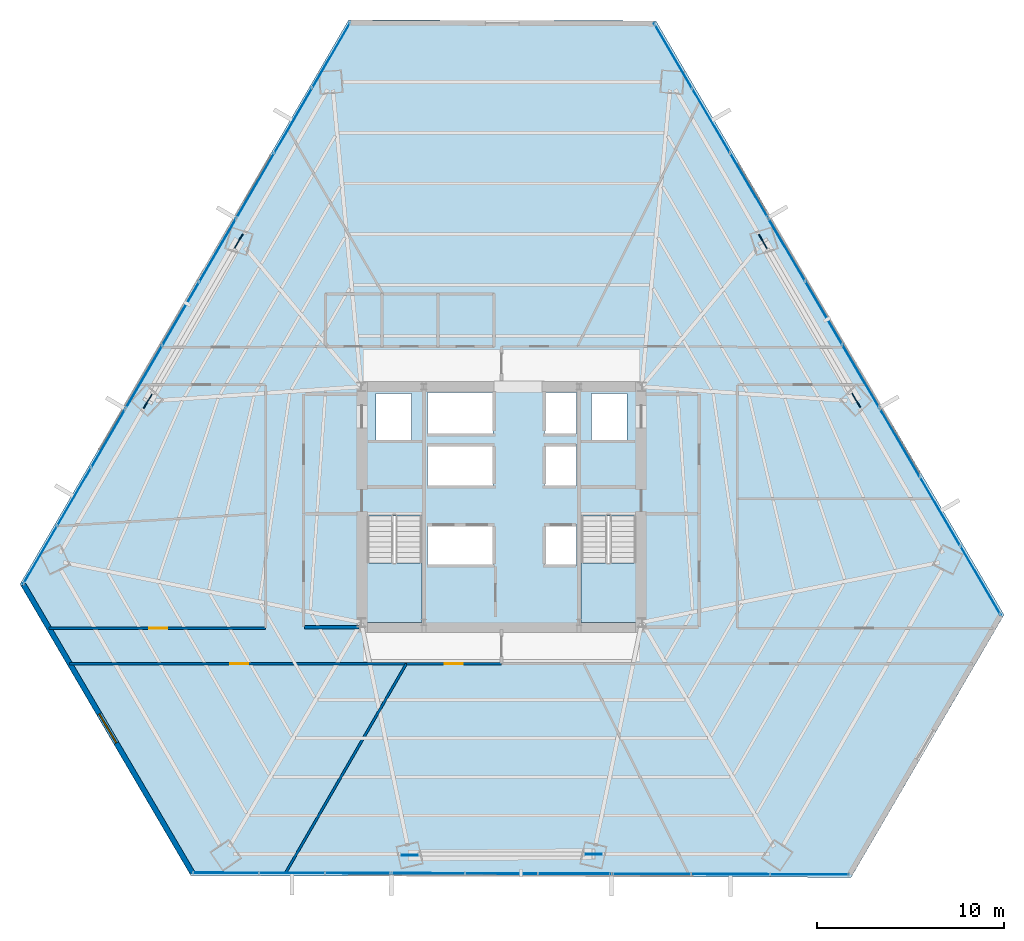
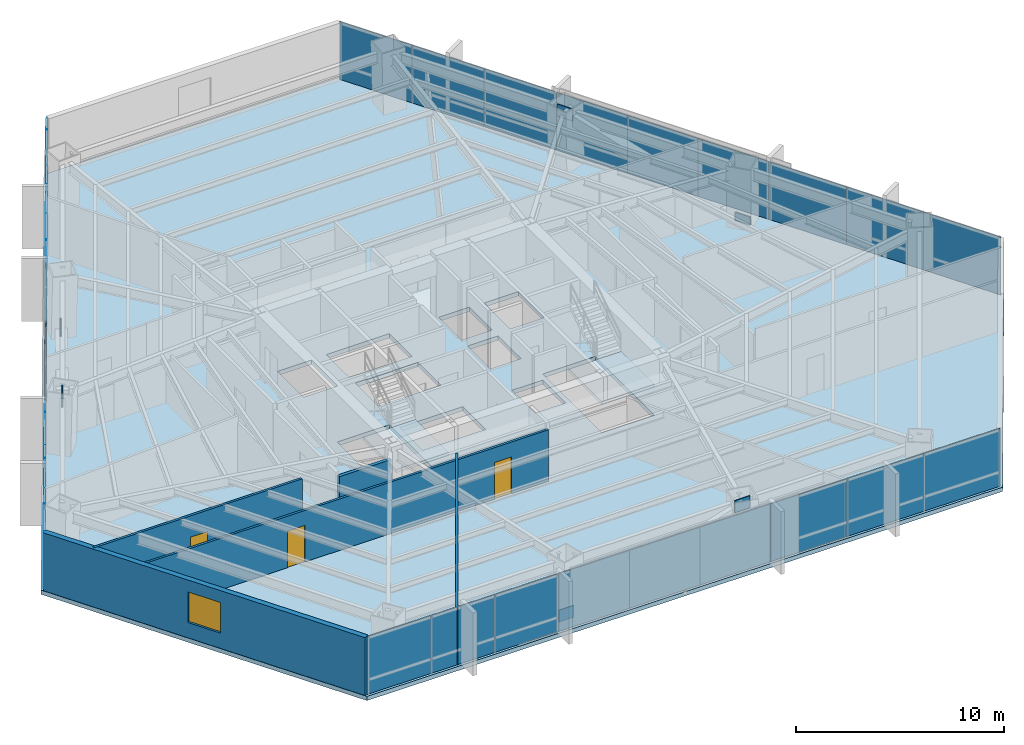
# One storey, part 27 of 33: 33 plates, 6 walls, 3 doors, 3 slabs, 1 window, 4 openings, 11 elements without a shape of their own.
"""IFC4 building model written with IfcOpenShell, lengths in metres."""

from ifc_helpers import new_model, si_unit, direction, frame, frame_2d, origin, origin_2d, place, context, subcontext, project, spatial, polyline, rectangle, outline, extrude, source, transform, mapped, material, layer, layer_set, type_object, type_shapes, element, fill, aggregate, save


model = new_model("IFC4")

# Units and contexts
model_context = context("Model", 3, precision=1e-05, world=origin(), true_north=direction((0.0, 1.0)))
body_context = subcontext(model_context, "Body", "Model", "MODEL_VIEW")
ifc_project = project(units=[si_unit("LENGTHUNIT", "METRE"), si_unit("AREAUNIT", "SQUARE_METRE"), si_unit("VOLUMEUNIT", "CUBIC_METRE"), si_unit("PLANEANGLEUNIT", "RADIAN"), si_unit("MASSUNIT", "GRAM", prefix="KILO")], contexts=[model_context])

# Site, building, storey
site_placement = place(None, origin())
site = spatial("IfcSite", under=ifc_project, at=site_placement, CompositionType="ELEMENT")
building_placement = place(site_placement, origin())
building = spatial("IfcBuilding", under=site, at=building_placement, Name="Caelisora Broadcast Tower", CompositionType="ELEMENT")
storey_placement = place(building_placement, frame((0.0, 0.0, 34.89990234375)))
storey = spatial("IfcBuildingStorey", under=building, at=storey_placement, Name="L08", CompositionType="ELEMENT", Elevation=34.89990234375)

# Slab
ifc_material_1 = material(Name="Concrete 40 MPa (AS 3600 N40)", Category="concrete")
ifc_layer_1 = layer(ifc_material_1, 0.25, Name="Concrete 40 MPa (AS 3600 N40)")
ifc_layer_set_1 = layer_set([ifc_layer_1], Name="Concrete 40 MPa (AS 3600 N40)")
slab_type_1 = type_object("IfcSlabType", Name="SL04", PredefinedType="FLOOR", material=ifc_layer_set_1)
slab_1_placement = place(storey_placement, frame((0.0, 0.0, -0.25)))
element("IfcSlab", 1, at=slab_1_placement, inside=storey, type_object=slab_type_1, Name="L08 suspended floor SL04", PredefinedType="FLOOR", context=body_context, shape_type="SweptSolid", body=[
    extrude(outline(polyline([(46.251953125, 49.55810546875), (29.826904296875, 49.60302734375), (12.261962890625, 19.446044921875), (21.39208984375, 3.868896484375), (56.68896484375, 3.77197265625), (64.862060546875, 17.805908203125), (46.251953125, 49.55810546875)]), holes=[polyline([(30.820068359375, 17.39990234375), (33.739990234375, 17.39990234375), (33.739990234375, 23.080078125), (30.820068359375, 23.080078125), (30.820068359375, 17.39990234375)]), polyline([(42.260009765625, 17.39990234375), (45.179931640625, 17.39990234375), (45.179931640625, 23.080078125), (42.260009765625, 23.080078125), (42.260009765625, 17.39990234375)]), polyline([(42.800048828125, 27.14990234375), (44.699951171875, 27.14990234375), (44.699951171875, 29.64990234375), (42.800048828125, 29.64990234375), (42.800048828125, 27.14990234375)]), polyline([(40.300048828125, 20.429931640625), (42.0, 20.429931640625), (42.0, 22.6298828125), (40.300048828125, 22.6298828125), (40.300048828125, 20.429931640625)]), polyline([(40.300048828125, 24.719970703125), (42.0, 24.719970703125), (42.0, 26.919921875), (40.300048828125, 26.919921875), (40.300048828125, 24.719970703125)]), polyline([(40.300048828125, 27.5), (42.0, 27.5), (42.0, 29.699951171875), (40.300048828125, 29.699951171875), (40.300048828125, 27.5)]), polyline([(34.050048828125, 20.429931640625), (37.550048828125, 20.429931640625), (37.550048828125, 22.6298828125), (34.050048828125, 22.6298828125), (34.050048828125, 20.429931640625)]), polyline([(34.050048828125, 24.719970703125), (37.550048828125, 24.719970703125), (37.550048828125, 26.919921875), (34.050048828125, 26.919921875), (34.050048828125, 24.719970703125)]), polyline([(34.050048828125, 27.5), (37.550048828125, 27.5), (37.550048828125, 29.699951171875), (34.050048828125, 29.699951171875), (34.050048828125, 27.5)]), polyline([(31.300048828125, 27.14990234375), (33.199951171875, 27.14990234375), (33.199951171875, 29.64990234375), (31.300048828125, 29.64990234375), (31.300048828125, 27.14990234375)])]), origin(), (0.0, 0.0, 1.0), 0.25),
])

# Stair, slab
stair_type_1 = type_object("IfcStairType", Name="ST-1", PredefinedType="HALF_TURN_STAIR", material=ifc_material_1)
stair_1_placement = place(storey_placement, origin())
stair_1 = element("IfcStair", 2, at=stair_1_placement, inside=storey, type_object=stair_type_1, Name="L08 West Fire-Isolated Tower Stair", PredefinedType="HALF_TURN_STAIR")
ifc_layer_2 = layer(ifc_material_1, 0.199951171875, Name="Concrete 40 MPa (AS 3600 N40)")
ifc_layer_set_2 = layer_set([ifc_layer_2], Name="Concrete 40 MPa (AS 3600 N40)")
slab_type_2 = type_object("IfcSlabType", Name="STL-1", PredefinedType="LANDING", material=ifc_layer_set_2)
slab_2_placement = place(storey_placement, frame((0.0, 0.0, 1.625)))
slab_2 = element("IfcSlab", 3, at=slab_2_placement, type_object=slab_type_2, Name="ST-1 landing 1", PredefinedType="LANDING", context=body_context, shape_type="SweptSolid", body=[
    extrude(outline(polyline([(30.820068359375, 20.580078125), (30.820068359375, 17.39990234375), (33.739990234375, 17.39990234375), (33.739990234375, 20.580078125), (30.820068359375, 20.580078125)])), origin(), (0.0, 0.0, 1.0), 0.2001953125),
])
aggregate(stair_1, [slab_2])

stair_type_2 = type_object("IfcStairType", Name="ST-2", PredefinedType="HALF_TURN_STAIR", material=ifc_material_1)
stair_2_placement = place(storey_placement, origin())
stair_2 = element("IfcStair", 4, at=stair_2_placement, inside=storey, type_object=stair_type_2, Name="L08 East Fire-Isolated Tower Stair", PredefinedType="HALF_TURN_STAIR")
slab_3_placement = place(storey_placement, frame((0.0, 0.0, 1.625)))
slab_3 = element("IfcSlab", 5, at=slab_3_placement, type_object=slab_type_2, Name="ST-2 landing 1", PredefinedType="LANDING", context=body_context, shape_type="SweptSolid", body=[
    extrude(outline(polyline([(42.260009765625, 20.580078125), (42.260009765625, 17.39990234375), (45.179931640625, 17.39990234375), (45.179931640625, 20.580078125), (42.260009765625, 20.580078125)])), origin(), (0.0, 0.0, 1.0), 0.2001953125),
])
aggregate(stair_2, [slab_3])

# Plates
ifc_material_2 = material(Name="Steel Grade 350 L15 (AS/NZS 3678)", Category="steel")
ifc_layer_3 = layer(ifc_material_2, 0.050048828125, Name="Steel Grade 350 L15 (AS/NZS 3678)")
ifc_layer_set_3 = layer_set([ifc_layer_3], Name="Steel Grade 350 L15 (AS/NZS 3678)")
plate_type_1 = type_object("IfcPlateType", Name="GP03", PredefinedType="USERDEFINED", material=ifc_layer_set_3)
shared_shape_1 = source(origin(), body_context, "Body", "SweptSolid", [
    extrude(rectangle(XDim=0.85009765625, YDim=0.050048828125, at=origin_2d()), origin(), (0.0, 0.0, 1.0), 0.699951171875),
])
type_shapes(plate_type_1, [shared_shape_1])
for number, where, z_axis, x_axis, name in (
    (6, (23.95263671875, 37.780029296875, -0.22998046875), (0.0, 0.0, 1.0), (-0.5, -0.866025403784, 0.0), "L08 gusset plate GP03 (ND-L08-C02B)"),
    (7, (19.0966796875, 29.22509765625, 2.72998046875), (0.0, 0.0, 1.0), (-0.5, -0.866025403784, 0.0), "L08 gusset plate GP03 (ND-L08-C03T)"),
    (8, (33.08984375, 4.944580078125, -0.22998046875), (0.0, 0.0, 1.0), (1.0, 0.0, 0.0), "L08 gusset plate GP03 (ND-L08-C06B)"),
    (9, (42.926513671875, 5.016845703125, 2.72998046875), (0.0, 0.0, 1.0), (1.0, 0.0, 0.0), "L08 gusset plate GP03 (ND-L08-C07T)"),
    (10, (56.95751953125, 29.275390625, -0.22998046875), (0.0, 0.0, 1.0), (-0.5, 0.866025403784, 0.0), "L08 gusset plate GP03 (ND-L08-C10B)"),
    (11, (51.9765625, 37.758056640625, 2.72998046875), (0.0, 0.0, 1.0), (-0.5, 0.866025403784, 0.0), "L08 gusset plate GP03 (ND-L08-C11T)"),
):
    element("IfcPlate", number, at=place(storey_placement, frame(where, z_axis=z_axis, x_axis=x_axis)), inside=storey, type_object=plate_type_1, Name=name, ObjectType="GUSSET PLATE", PredefinedType="USERDEFINED", context=body_context, shape_type="MappedRepresentation", body=[
        mapped(shared_shape_1, transform((0.0, 0.0, 0.0), scale=1.0)),
    ])

# Curtain wall, plates
ifc_material_3 = material(Name="Unitised Aluminium and Low-E Glass Curtain Wall", Category="glass")
curtain_wall_type_1 = type_object("IfcCurtainWallType", Name="CW-Z1", PredefinedType="NOTDEFINED", material=ifc_material_3)
curtain_wall_1_placement = place(storey_placement, origin())
curtain_wall_1 = element("IfcCurtainWall", 12, at=curtain_wall_1_placement, inside=storey, type_object=curtain_wall_type_1, Name="L08 curtain wall CW-Z1", PredefinedType="NOTDEFINED")
ifc_material_4 = material(Name="Double Glazed Low-E Argon IGU", Category="glass")
ifc_layer_4 = layer(ifc_material_4, 0.035888671875, Name="Double Glazed Low-E Argon IGU")
ifc_layer_set_4 = layer_set([ifc_layer_4], Name="Double Glazed Low-E Argon IGU")
plate_type_2 = type_object("IfcPlateType", Name="CWP-02", PredefinedType="CURTAIN_PANEL", material=ifc_layer_set_4)
shared_shape_2 = source(origin(), body_context, "Body", "SweptSolid", [
    extrude(rectangle(XDim=4.008544921875, YDim=0.035888671875, at=origin_2d()), origin(), (0.0, 0.0, 1.0), 3.39990234375),
])
plate_1_placement = place(storey_placement, frame((47.179443359375, 47.6787109375, 0.000244140625), z_axis=(0.0, 0.0, 1.0), x_axis=(0.505582083675, -0.862778509623, 0.0)))
plate_1 = element("IfcPlate", 13, at=plate_1_placement, type_object=plate_type_2, Name="L08-CW-B01 glazed panel #1", PredefinedType="CURTAIN_PANEL", context=body_context, shape_type="MappedRepresentation", body=[
    mapped(shared_shape_2, transform((0.0, 0.0, 0.0), scale=1.0)),
])
plate_2_placement = place(storey_placement, frame((49.206298828125, 44.220458984375, 0.000244140625), z_axis=(0.0, 0.0, 1.0), x_axis=(0.505582083675, -0.862778509623, 0.0)))
plate_2 = element("IfcPlate", 14, at=plate_2_placement, type_object=plate_type_2, Name="L08-CW-B01 glazed panel #2", PredefinedType="CURTAIN_PANEL", context=body_context, shape_type="MappedRepresentation", body=[
    mapped(shared_shape_2, transform((0.0, 0.0, 0.0), scale=1.0)),
])
plate_3_placement = place(storey_placement, frame((51.2333984375, 40.76220703125, 0.000244140625), z_axis=(0.0, 0.0, 1.0), x_axis=(0.505582083675, -0.862778509623, 0.0)))
plate_3 = element("IfcPlate", 15, at=plate_3_placement, type_object=plate_type_2, Name="L08-CW-B01 glazed panel #3", PredefinedType="CURTAIN_PANEL", context=body_context, shape_type="MappedRepresentation", body=[
    mapped(shared_shape_2, transform((0.0, 0.0, 0.0), scale=1.0)),
])
aggregate(curtain_wall_1, [plate_1, plate_2, plate_3])

ifc_material_5 = material(Name="Unitised Aluminium Insulated Shadow-Box Spandrel Curtain Wall", Category="aluminium")
curtain_wall_type_2 = type_object("IfcCurtainWallType", Name="CW-SP1", PredefinedType="NOTDEFINED", material=ifc_material_5)
curtain_wall_2_placement = place(storey_placement, origin())
curtain_wall_2 = element("IfcCurtainWall", 16, at=curtain_wall_2_placement, inside=storey, type_object=curtain_wall_type_2, Name="L08 curtain wall CW-SP1", PredefinedType="NOTDEFINED")
ifc_material_6 = material(Name="Insulated Terracotta Shadow-Box Spandrel Panel", Category="aluminium")
ifc_layer_5 = layer(ifc_material_6, 0.0439453125, Name="Insulated Terracotta Shadow-Box Spandrel Panel")
ifc_layer_set_5 = layer_set([ifc_layer_5], Name="Insulated Terracotta Shadow-Box Spandrel Panel")
plate_type_3 = type_object("IfcPlateType", Name="CWP-10", PredefinedType="CURTAIN_PANEL", material=ifc_layer_set_5)
shared_shape_3 = source(origin(), body_context, "Body", "SweptSolid", [
    extrude(rectangle(XDim=3.920166015625, YDim=0.0439453125, at=origin_2d()), origin(), (0.0, 0.0, 1.0), 3.39990234375),
])
type_shapes(plate_type_3, [shared_shape_3])
plate_4_placement = place(storey_placement, frame((53.242919921875, 37.333251953125, 0.000244140625), z_axis=(0.0, 0.0, 1.0), x_axis=(0.505582083675, -0.862778509623, 0.0)))
plate_4 = element("IfcPlate", 17, at=plate_4_placement, type_object=plate_type_3, Name="L08-CW-B02 spandrel panel #1", PredefinedType="CURTAIN_PANEL", context=body_context, shape_type="MappedRepresentation", body=[
    mapped(shared_shape_3, transform((0.0, 0.0, 0.0), scale=1.0)),
])
plate_5_placement = place(storey_placement, frame((55.22509765625, 33.951416015625, 0.000244140625), z_axis=(0.0, 0.0, 1.0), x_axis=(0.505582083675, -0.862778509623, 0.0)))
plate_5 = element("IfcPlate", 18, at=plate_5_placement, type_object=plate_type_3, Name="L08-CW-B02 spandrel panel #2", PredefinedType="CURTAIN_PANEL", context=body_context, shape_type="MappedRepresentation", body=[
    mapped(shared_shape_3, transform((0.0, 0.0, 0.0), scale=1.0)),
])
plate_6_placement = place(storey_placement, frame((57.20751953125, 30.5693359375, 0.000244140625), z_axis=(0.0, 0.0, 1.0), x_axis=(0.505582083675, -0.862778509623, 0.0)))
plate_6 = element("IfcPlate", 19, at=plate_6_placement, type_object=plate_type_3, Name="L08-CW-B02 spandrel panel #3", PredefinedType="CURTAIN_PANEL", context=body_context, shape_type="MappedRepresentation", body=[
    mapped(shared_shape_3, transform((0.0, 0.0, 0.0), scale=1.0)),
])
aggregate(curtain_wall_2, [plate_4, plate_5, plate_6])

curtain_wall_3_placement = place(storey_placement, origin())
curtain_wall_3 = element("IfcCurtainWall", 20, at=curtain_wall_3_placement, inside=storey, type_object=curtain_wall_type_2, Name="L08 curtain wall CW-SP1", PredefinedType="NOTDEFINED")
plate_7_placement = place(storey_placement, frame((41.91748046875, 3.962646484375, 0.000244140625), z_axis=(0.0, 0.0, 1.0), x_axis=(-0.9999961009, 0.002792523174, 0.0)))
plate_7 = element("IfcPlate", 21, at=plate_7_placement, type_object=plate_type_3, Name="L08-CW-B06 spandrel panel #1", PredefinedType="CURTAIN_PANEL", context=body_context, shape_type="MappedRepresentation", body=[
    mapped(shared_shape_3, transform((0.0, 0.0, 0.0), scale=1.0)),
])
plate_8_placement = place(storey_placement, frame((37.997314453125, 3.973388671875, 0.000244140625), z_axis=(0.0, 0.0, 1.0), x_axis=(-0.9999961009, 0.002792523174, 0.0)))
plate_8 = element("IfcPlate", 22, at=plate_8_placement, type_object=plate_type_3, Name="L08-CW-B06 spandrel panel #2", PredefinedType="CURTAIN_PANEL", context=body_context, shape_type="MappedRepresentation", body=[
    mapped(shared_shape_3, transform((0.0, 0.0, 0.0), scale=1.0)),
])
plate_9_placement = place(storey_placement, frame((34.0771484375, 3.984130859375, 0.000244140625), z_axis=(0.0, 0.0, 1.0), x_axis=(-0.9999961009, 0.002792523174, 0.0)))
plate_9 = element("IfcPlate", 23, at=plate_9_placement, type_object=plate_type_3, Name="L08-CW-B06 spandrel panel #3", PredefinedType="CURTAIN_PANEL", context=body_context, shape_type="MappedRepresentation", body=[
    mapped(shared_shape_3, transform((0.0, 0.0, 0.0), scale=1.0)),
])
aggregate(curtain_wall_3, [plate_7, plate_8, plate_9])

curtain_wall_4_placement = place(storey_placement, origin())
curtain_wall_4 = element("IfcCurtainWall", 24, at=curtain_wall_4_placement, inside=storey, type_object=curtain_wall_type_2, Name="L08 curtain wall CW-SP1", PredefinedType="NOTDEFINED")
plate_10_placement = place(storey_placement, frame((18.882568359375, 30.51416015625, 0.000244140625), z_axis=(0.0, 0.0, 1.0), x_axis=(0.503321604797, 0.864099162217, 0.0)))
plate_10 = element("IfcPlate", 25, at=plate_10_placement, type_object=plate_type_3, Name="L08-CW-B10 spandrel panel #1", PredefinedType="CURTAIN_PANEL", context=body_context, shape_type="MappedRepresentation", body=[
    mapped(shared_shape_3, transform((0.0, 0.0, 0.0), scale=1.0)),
])
plate_11_placement = place(storey_placement, frame((20.85546875, 33.901611328125, 0.000244140625), z_axis=(0.0, 0.0, 1.0), x_axis=(0.503321604797, 0.864099162217, 0.0)))
plate_11 = element("IfcPlate", 26, at=plate_11_placement, type_object=plate_type_3, Name="L08-CW-B10 spandrel panel #2", PredefinedType="CURTAIN_PANEL", context=body_context, shape_type="MappedRepresentation", body=[
    mapped(shared_shape_3, transform((0.0, 0.0, 0.0), scale=1.0)),
])
plate_12_placement = place(storey_placement, frame((22.828369140625, 37.2890625, 0.000244140625), z_axis=(0.0, 0.0, 1.0), x_axis=(0.503321604797, 0.864099162217, 0.0)))
plate_12 = element("IfcPlate", 27, at=plate_12_placement, type_object=plate_type_3, Name="L08-CW-B10 spandrel panel #3", PredefinedType="CURTAIN_PANEL", context=body_context, shape_type="MappedRepresentation", body=[
    mapped(shared_shape_3, transform((0.0, 0.0, 0.0), scale=1.0)),
])
aggregate(curtain_wall_4, [plate_10, plate_11, plate_12])

curtain_wall_5_placement = place(storey_placement, origin())
curtain_wall_5 = element("IfcCurtainWall", 28, at=curtain_wall_5_placement, inside=storey, type_object=curtain_wall_type_1, Name="L08 curtain wall CW-Z1", PredefinedType="NOTDEFINED")
shared_shape_4 = source(origin(), body_context, "Body", "SweptSolid", [
    extrude(rectangle(XDim=4.274658203125, YDim=0.035888671875, at=origin_2d()), origin(), (0.0, 0.0, 1.0), 3.39990234375),
])
plate_13_placement = place(storey_placement, frame((59.2841796875, 27.025634765625, 0.000244140625), z_axis=(0.0, 0.0, 1.0), x_axis=(0.505582083675, -0.862778509623, 0.0)))
plate_13 = element("IfcPlate", 29, at=plate_13_placement, type_object=plate_type_2, Name="L08-CW-B03 glazed panel #1", PredefinedType="CURTAIN_PANEL", context=body_context, shape_type="MappedRepresentation", body=[
    mapped(shared_shape_4, transform((0.0, 0.0, 0.0), scale=1.0)),
])
plate_14_placement = place(storey_placement, frame((61.44580078125, 23.337890625, 0.000244140625), z_axis=(0.0, 0.0, 1.0), x_axis=(0.505582083675, -0.862778509623, 0.0)))
plate_14 = element("IfcPlate", 30, at=plate_14_placement, type_object=plate_type_2, Name="L08-CW-B03 glazed panel #2", PredefinedType="CURTAIN_PANEL", context=body_context, shape_type="MappedRepresentation", body=[
    mapped(shared_shape_4, transform((0.0, 0.0, 0.0), scale=1.0)),
])
plate_15_placement = place(storey_placement, frame((63.607421875, 19.64990234375, 0.000244140625), z_axis=(0.0, 0.0, 1.0), x_axis=(0.505582083675, -0.862778509623, 0.0)))
plate_15 = element("IfcPlate", 31, at=plate_15_placement, type_object=plate_type_2, Name="L08-CW-B03 glazed panel #3", PredefinedType="CURTAIN_PANEL", context=body_context, shape_type="MappedRepresentation", body=[
    mapped(shared_shape_4, transform((0.0, 0.0, 0.0), scale=1.0)),
])
aggregate(curtain_wall_5, [plate_13, plate_14, plate_15])

curtain_wall_6_placement = place(storey_placement, origin())
curtain_wall_6 = element("IfcCurtainWall", 32, at=curtain_wall_6_placement, inside=storey, type_object=curtain_wall_type_1, Name="L08 curtain wall CW-Z1", PredefinedType="NOTDEFINED")
shared_shape_5 = source(origin(), body_context, "Body", "SweptSolid", [
    extrude(rectangle(XDim=4.238525390625, YDim=0.035888671875, at=origin_2d()), origin(), (0.0, 0.0, 1.0), 3.39990234375),
])
plate_16_placement = place(storey_placement, frame((54.483642578125, 3.927978515625, 0.000244140625), z_axis=(0.0, 0.0, 1.0), x_axis=(-0.9999961009, 0.002792523174, 0.0)))
plate_16 = element("IfcPlate", 33, at=plate_16_placement, type_object=plate_type_2, Name="L08-CW-B05 glazed panel #1", PredefinedType="CURTAIN_PANEL", context=body_context, shape_type="MappedRepresentation", body=[
    mapped(shared_shape_5, transform((0.0, 0.0, 0.0), scale=1.0)),
])
plate_17_placement = place(storey_placement, frame((50.2451171875, 3.939697265625, 0.000244140625), z_axis=(0.0, 0.0, 1.0), x_axis=(-0.9999961009, 0.002792523174, 0.0)))
plate_17 = element("IfcPlate", 34, at=plate_17_placement, type_object=plate_type_2, Name="L08-CW-B05 glazed panel #2", PredefinedType="CURTAIN_PANEL", context=body_context, shape_type="MappedRepresentation", body=[
    mapped(shared_shape_5, transform((0.0, 0.0, 0.0), scale=1.0)),
])
plate_18_placement = place(storey_placement, frame((46.006591796875, 3.951416015625, 0.000244140625), z_axis=(0.0, 0.0, 1.0), x_axis=(-0.9999961009, 0.002792523174, 0.0)))
plate_18 = element("IfcPlate", 35, at=plate_18_placement, type_object=plate_type_2, Name="L08-CW-B05 glazed panel #3", PredefinedType="CURTAIN_PANEL", context=body_context, shape_type="MappedRepresentation", body=[
    mapped(shared_shape_5, transform((0.0, 0.0, 0.0), scale=1.0)),
])
aggregate(curtain_wall_6, [plate_16, plate_17, plate_18])

curtain_wall_7_placement = place(storey_placement, origin())
curtain_wall_7 = element("IfcCurtainWall", 36, at=curtain_wall_7_placement, inside=storey, type_object=curtain_wall_type_1, Name="L08 curtain wall CW-Z1", PredefinedType="NOTDEFINED")
shared_shape_6 = source(origin(), body_context, "Body", "SweptSolid", [
    extrude(rectangle(XDim=3.543212890625, YDim=0.035888671875, at=origin_2d()), origin(), (0.0, 0.0, 1.0), 3.39990234375),
])
plate_19_placement = place(storey_placement, frame((30.335693359375, 3.994384765625, 0.000244140625), z_axis=(0.0, 0.0, 1.0), x_axis=(-0.9999961009, 0.002792523174, 0.0)))
plate_19 = element("IfcPlate", 37, at=plate_19_placement, type_object=plate_type_2, Name="L08-CW-B07 glazed panel #1", PredefinedType="CURTAIN_PANEL", context=body_context, shape_type="MappedRepresentation", body=[
    mapped(shared_shape_6, transform((0.0, 0.0, 0.0), scale=1.0)),
])
plate_20_placement = place(storey_placement, frame((26.79248046875, 4.00439453125, 0.000244140625), z_axis=(0.0, 0.0, 1.0), x_axis=(-0.9999961009, 0.002792523174, 0.0)))
plate_20 = element("IfcPlate", 38, at=plate_20_placement, type_object=plate_type_2, Name="L08-CW-B07 glazed panel #2", PredefinedType="CURTAIN_PANEL", context=body_context, shape_type="MappedRepresentation", body=[
    mapped(shared_shape_6, transform((0.0, 0.0, 0.0), scale=1.0)),
])
plate_21_placement = place(storey_placement, frame((23.24951171875, 4.01416015625, 0.000244140625), z_axis=(0.0, 0.0, 1.0), x_axis=(-0.9999961009, 0.002792523174, 0.0)))
plate_21 = element("IfcPlate", 39, at=plate_21_placement, type_object=plate_type_2, Name="L08-CW-B07 glazed panel #3", PredefinedType="CURTAIN_PANEL", context=body_context, shape_type="MappedRepresentation", body=[
    mapped(shared_shape_6, transform((0.0, 0.0, 0.0), scale=1.0)),
])
aggregate(curtain_wall_7, [plate_19, plate_20, plate_21])

curtain_wall_8_placement = place(storey_placement, origin())
curtain_wall_8 = element("IfcCurtainWall", 40, at=curtain_wall_8_placement, inside=storey, type_object=curtain_wall_type_1, Name="L08 curtain wall CW-Z1", PredefinedType="NOTDEFINED")
shared_shape_7 = source(origin(), body_context, "Body", "SweptSolid", [
    extrude(rectangle(XDim=3.61279296875, YDim=0.035888671875, at=origin_2d()), origin(), (0.0, 0.0, 1.0), 3.39990234375),
])
plate_22_placement = place(storey_placement, frame((13.34521484375, 21.007080078125, 0.000244140625), z_axis=(0.0, 0.0, 1.0), x_axis=(0.503321604797, 0.864099162217, 0.0)))
plate_22 = element("IfcPlate", 41, at=plate_22_placement, type_object=plate_type_2, Name="L08-CW-B09 glazed panel #1", PredefinedType="CURTAIN_PANEL", context=body_context, shape_type="MappedRepresentation", body=[
    mapped(shared_shape_7, transform((0.0, 0.0, 0.0), scale=1.0)),
])
plate_23_placement = place(storey_placement, frame((15.16357421875, 24.12890625, 0.000244140625), z_axis=(0.0, 0.0, 1.0), x_axis=(0.503321604797, 0.864099162217, 0.0)))
plate_23 = element("IfcPlate", 42, at=plate_23_placement, type_object=plate_type_2, Name="L08-CW-B09 glazed panel #2", PredefinedType="CURTAIN_PANEL", context=body_context, shape_type="MappedRepresentation", body=[
    mapped(shared_shape_7, transform((0.0, 0.0, 0.0), scale=1.0)),
])
plate_24_placement = place(storey_placement, frame((16.981689453125, 27.2509765625, 0.000244140625), z_axis=(0.0, 0.0, 1.0), x_axis=(0.503321604797, 0.864099162217, 0.0)))
plate_24 = element("IfcPlate", 43, at=plate_24_placement, type_object=plate_type_2, Name="L08-CW-B09 glazed panel #3", PredefinedType="CURTAIN_PANEL", context=body_context, shape_type="MappedRepresentation", body=[
    mapped(shared_shape_7, transform((0.0, 0.0, 0.0), scale=1.0)),
])
aggregate(curtain_wall_8, [plate_22, plate_23, plate_24])

curtain_wall_9_placement = place(storey_placement, origin())
curtain_wall_9 = element("IfcCurtainWall", 44, at=curtain_wall_9_placement, inside=storey, type_object=curtain_wall_type_1, Name="L08 curtain wall CW-Z1", PredefinedType="NOTDEFINED")
shared_shape_8 = source(origin(), body_context, "Body", "SweptSolid", [
    extrude(rectangle(XDim=4.035400390625, YDim=0.035888671875, at=origin_2d()), origin(), (0.0, 0.0, 1.0), 3.39990234375),
])
type_shapes(plate_type_2, [shared_shape_2, shared_shape_4, shared_shape_5, shared_shape_6, shared_shape_7, shared_shape_8])
plate_25_placement = place(storey_placement, frame((24.83544921875, 40.735107421875, 0.000244140625), z_axis=(0.0, 0.0, 1.0), x_axis=(0.503321604797, 0.864099162217, 0.0)))
plate_25 = element("IfcPlate", 45, at=plate_25_placement, type_object=plate_type_2, Name="L08-CW-B11 glazed panel #1", PredefinedType="CURTAIN_PANEL", context=body_context, shape_type="MappedRepresentation", body=[
    mapped(shared_shape_8, transform((0.0, 0.0, 0.0), scale=1.0)),
])
plate_26_placement = place(storey_placement, frame((26.866455078125, 44.22216796875, 0.000244140625), z_axis=(0.0, 0.0, 1.0), x_axis=(0.503321604797, 0.864099162217, 0.0)))
plate_26 = element("IfcPlate", 46, at=plate_26_placement, type_object=plate_type_2, Name="L08-CW-B11 glazed panel #2", PredefinedType="CURTAIN_PANEL", context=body_context, shape_type="MappedRepresentation", body=[
    mapped(shared_shape_8, transform((0.0, 0.0, 0.0), scale=1.0)),
])
plate_27_placement = place(storey_placement, frame((28.8974609375, 47.70947265625, 0.000244140625), z_axis=(0.0, 0.0, 1.0), x_axis=(0.503321604797, 0.864099162217, 0.0)))
plate_27 = element("IfcPlate", 47, at=plate_27_placement, type_object=plate_type_2, Name="L08-CW-B11 glazed panel #3", PredefinedType="CURTAIN_PANEL", context=body_context, shape_type="MappedRepresentation", body=[
    mapped(shared_shape_8, transform((0.0, 0.0, 0.0), scale=1.0)),
])
aggregate(curtain_wall_9, [plate_25, plate_26, plate_27])

# Wall, opening, window
ifc_material_7 = material(Name="Insulated Terracotta Spandrel Wall System", Category="masonry")
ifc_layer_6 = layer(ifc_material_7, 0.280029296875, Name="Insulated Terracotta Spandrel Wall System")
ifc_layer_set_6 = layer_set([ifc_layer_6], Name="Insulated Terracotta Spandrel Wall System")
wall_type_1 = type_object("IfcWallType", Name="EW1", PredefinedType="STANDARD", material=ifc_layer_set_6)
wall_1_placement = place(storey_placement, frame((21.462890625, 4.044921875, 0.0), z_axis=(0.0, 0.0, 1.0), x_axis=(-0.50566289569, 0.862731149271, 0.0)))
wall_1 = element("IfcWall", 48, at=wall_1_placement, inside=storey, type_object=wall_type_1, Name="L08 exterior envelope wall EW1", PredefinedType="STANDARD", context=body_context, shape_type="SweptSolid", body=[
    extrude(rectangle(XDim=17.821533203125, YDim=0.280029296875, at=frame_2d((8.91064453125, 0.0))), origin(), (0.0, 0.0, 1.0), 3.400146484375),
])
opening_1_placement = place(wall_1_placement, frame((8.010009765625, 0.0, 0.89990234375)))
opening_1 = element("IfcOpeningElement", 49, at=opening_1_placement, cuts=wall_1, Name="Opening W01", PredefinedType="OPENING", context=body_context, shape_type="SweptSolid", body=[
    extrude(rectangle(XDim=1.800048828125, YDim=1.800048828125, at=frame_2d((0.89990234375, 0.89990234375))), frame((0.0, 0.152099609375, 0.0), z_axis=(0.0, -1.0, 0.0), x_axis=(1.0, 0.0, 0.0)), (0.0, 0.0, 1.0), 0.303955078125),
])
ifc_material_8 = material(Name="Double Glazed Terracotta-Framed Vision Window", Category="glass")
window_type = type_object("IfcWindowType", Name="W01", PartitioningType="SINGLE_PANEL", PredefinedType="WINDOW", material=ifc_material_8)
window_placement = place(opening_1_placement, origin())
window = element("IfcWindow", 50, at=window_placement, inside=storey, type_object=window_type, Name="L08 window W01 (L08-WN-CH4)", OverallHeight=1.800048828125, OverallWidth=1.800048828125, PartitioningType="SINGLE_PANEL", PredefinedType="WINDOW", context=body_context, shape_type="SweptSolid", body=[
    extrude(rectangle(XDim=1.800048828125, YDim=1.800048828125, at=frame_2d((0.89990234375, 0.89990234375))), frame((0.0, 0.030029296875, 0.0), z_axis=(0.0, -1.0, 0.0), x_axis=(1.0, 0.0, 0.0)), (0.0, 0.0, 1.0), 0.06005859375),
])
fill(opening_1, window)

# Wall
ifc_material_9 = material(Name="Fire-Rated Gypsum Shaft and Compartment Wall", Category="gypsum")
ifc_layer_7 = layer(ifc_material_9, 0.179931640625, Name="Fire-Rated Gypsum Shaft and Compartment Wall")
ifc_layer_set_7 = layer_set([ifc_layer_7], Name="Fire-Rated Gypsum Shaft and Compartment Wall")
wall_type_2 = type_object("IfcWallType", Name="PW2", PredefinedType="PARTITIONING", material=ifc_layer_set_7)
wall_2_placement = place(storey_placement, frame((27.47998046875, 17.14990234375, 0.0), z_axis=(0.0, 0.0, 1.0), x_axis=(1.0, 0.0, 0.0)))
element("IfcWall", 51, at=wall_2_placement, inside=storey, type_object=wall_type_2, Name="L08 fire compartment wall PW2", PredefinedType="PARTITIONING", context=body_context, shape_type="SweptSolid", body=[
    extrude(rectangle(XDim=2.89990234375, YDim=0.179931640625, at=frame_2d((1.449951171875, 0.0))), origin(), (0.0, 0.0, 1.0), 2.782958984375),
])

# Wall, opening, door
ifc_material_10 = material(Name="Acoustic Steel-Stud Plasterboard Partition", Category="gypsum")
ifc_layer_8 = layer(ifc_material_10, 0.1298828125, Name="Acoustic Steel-Stud Plasterboard Partition")
ifc_layer_set_8 = layer_set([ifc_layer_8], Name="Acoustic Steel-Stud Plasterboard Partition")
wall_type_3 = type_object("IfcWallType", Name="PW3", PredefinedType="PARTITIONING", material=ifc_layer_set_8)
wall_3_placement = place(storey_placement, frame((14.918701171875, 15.199951171875, 0.0), z_axis=(0.0, 0.0, 1.0), x_axis=(1.0, 0.0, 0.0)))
wall_3 = element("IfcWall", 52, at=wall_3_placement, inside=storey, type_object=wall_type_3, Name="L08 internal partition PW3", PredefinedType="PARTITIONING", context=body_context, shape_type="SweptSolid", body=[
    extrude(rectangle(XDim=17.996337890625, YDim=0.1298828125, at=frame_2d((8.998046875, 0.0))), origin(), (0.0, 0.0, 1.0), 3.026611328125),
])
opening_2_placement = place(wall_3_placement, frame((8.572021484375, 0.0, 0.0)))
opening_2 = element("IfcOpeningElement", 53, at=opening_2_placement, cuts=wall_3, Name="Opening D01", PredefinedType="OPENING", context=body_context, shape_type="SweptSolid", body=[
    extrude(rectangle(XDim=0.9599609375, YDim=2.14990234375, at=frame_2d((0.47998046875, 1.074951171875))), frame((0.0, 0.076904296875, 0.0), z_axis=(0.0, -1.0, 0.0), x_axis=(1.0, 0.0, 0.0)), (0.0, 0.0, 1.0), 0.15380859375),
])
ifc_material_11 = material(Name="Solid-Core Timber Acoustic Office Door", Category="wood")
door_type = type_object("IfcDoorType", Name="D01", OperationType="NOTDEFINED", PredefinedType="DOOR", material=ifc_material_11)
door_1_placement = place(opening_2_placement, origin())
door_1 = element("IfcDoor", 54, at=door_1_placement, inside=storey, type_object=door_type, Name="L08 door D01 (L08-DR-P27D1)", OperationType="SINGLE_SWING_RIGHT", OverallHeight=2.14990234375, OverallWidth=0.9599609375, PredefinedType="DOOR", context=body_context, shape_type="SweptSolid", body=[
    extrude(rectangle(XDim=0.9599609375, YDim=2.14990234375, at=frame_2d((0.47998046875, 1.074951171875))), frame((0.0, 0.02490234375, 0.0), z_axis=(0.0, -1.0, 0.0), x_axis=(1.0, 0.0, 0.0)), (0.0, 0.0, 1.0), 0.050048828125),
])
fill(opening_2, door_1)

# Wall
wall_4_placement = place(storey_placement, frame((26.451904296875, 4.0, 0.0), z_axis=(0.0, 0.0, 1.0), x_axis=(0.500060813986, 0.865990289966, 0.0)))
element("IfcWall", 55, at=wall_4_placement, inside=storey, type_object=wall_type_3, Name="L08 internal partition PW3", PredefinedType="PARTITIONING", context=body_context, shape_type="SweptSolid", body=[
    extrude(rectangle(XDim=12.9287109375, YDim=0.1298828125, at=frame_2d((6.46435546875, 0.0))), origin(), (0.0, 0.0, 1.0), 3.400146484375),
])

# Wall, opening, door
wall_5_placement = place(storey_placement, frame((13.80517578125, 17.10009765625, 0.0), z_axis=(0.0, 0.0, 1.0), x_axis=(1.0, 0.0, 0.0)))
wall_5 = element("IfcWall", 56, at=wall_5_placement, inside=storey, type_object=wall_type_3, Name="L08 internal partition PW3", PredefinedType="PARTITIONING", context=body_context, shape_type="SweptSolid", body=[
    extrude(rectangle(XDim=11.58984375, YDim=0.1298828125, at=frame_2d((5.794921875, 0.0))), origin(), (0.0, 0.0, 1.0), 3.400146484375),
])
opening_3_placement = place(wall_5_placement, frame((5.373046875, 0.0, 0.0)))
opening_3 = element("IfcOpeningElement", 57, at=opening_3_placement, cuts=wall_5, Name="Opening D01", PredefinedType="OPENING", context=body_context, shape_type="SweptSolid", body=[
    extrude(rectangle(XDim=0.9599609375, YDim=2.14990234375, at=frame_2d((0.47998046875, 1.074951171875))), frame((0.0, 0.076904296875, 0.0), z_axis=(0.0, -1.0, 0.0), x_axis=(1.0, 0.0, 0.0)), (0.0, 0.0, 1.0), 0.15380859375),
])
door_2_placement = place(opening_3_placement, origin())
door_2 = element("IfcDoor", 58, at=door_2_placement, inside=storey, type_object=door_type, Name="L08 door D01 (L08-DR-P32D1)", OperationType="SINGLE_SWING_RIGHT", OverallHeight=2.14990234375, OverallWidth=0.9599609375, PredefinedType="DOOR", context=body_context, shape_type="SweptSolid", body=[
    extrude(rectangle(XDim=0.9599609375, YDim=2.14990234375, at=frame_2d((0.47998046875, 1.074951171875))), frame((0.0, 0.02490234375, 0.0), z_axis=(0.0, -1.0, 0.0), x_axis=(1.0, 0.0, 0.0)), (0.0, 0.0, 1.0), 0.050048828125),
])
fill(opening_3, door_2)

wall_6_placement = place(storey_placement, frame((32.925048828125, 15.199951171875, 0.0), z_axis=(0.0, 0.0, 1.0), x_axis=(1.0, 0.0, 0.0)))
wall_6 = element("IfcWall", 59, at=wall_6_placement, inside=storey, type_object=wall_type_3, Name="L08 internal partition PW3", PredefinedType="PARTITIONING", context=body_context, shape_type="SweptSolid", body=[
    extrude(rectangle(XDim=5.070068359375, YDim=0.1298828125, at=frame_2d((2.53515625, 0.0))), origin(), (0.0, 0.0, 1.0), 3.026611328125),
])
opening_4_placement = place(wall_6_placement, frame((2.054931640625, 0.0, 0.0)))
opening_4 = element("IfcOpeningElement", 60, at=opening_4_placement, cuts=wall_6, Name="Opening D01", PredefinedType="OPENING", context=body_context, shape_type="SweptSolid", body=[
    extrude(rectangle(XDim=0.9599609375, YDim=2.14990234375, at=frame_2d((0.47998046875, 1.074951171875))), frame((0.0, 0.076904296875, 0.0), z_axis=(0.0, -1.0, 0.0), x_axis=(1.0, 0.0, 0.0)), (0.0, 0.0, 1.0), 0.15380859375),
])
door_3_placement = place(opening_4_placement, origin())
door_3 = element("IfcDoor", 61, at=door_3_placement, inside=storey, type_object=door_type, Name="L08 door D01 (L08-DR-P45D1)", OperationType="SINGLE_SWING_LEFT", OverallHeight=2.14990234375, OverallWidth=0.9599609375, PredefinedType="DOOR", context=body_context, shape_type="SweptSolid", body=[
    extrude(rectangle(XDim=0.9599609375, YDim=2.14990234375, at=frame_2d((0.47998046875, 1.074951171875))), frame((0.0, 0.02490234375, 0.0), z_axis=(0.0, -1.0, 0.0), x_axis=(1.0, 0.0, 0.0)), (0.0, 0.0, 1.0), 0.050048828125),
])
fill(opening_4, door_3)

save(model, "model.ifc")
